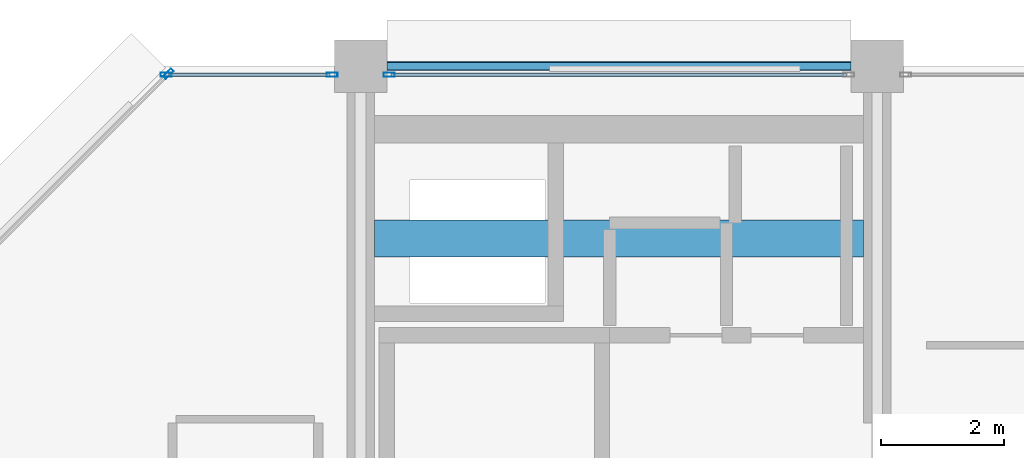
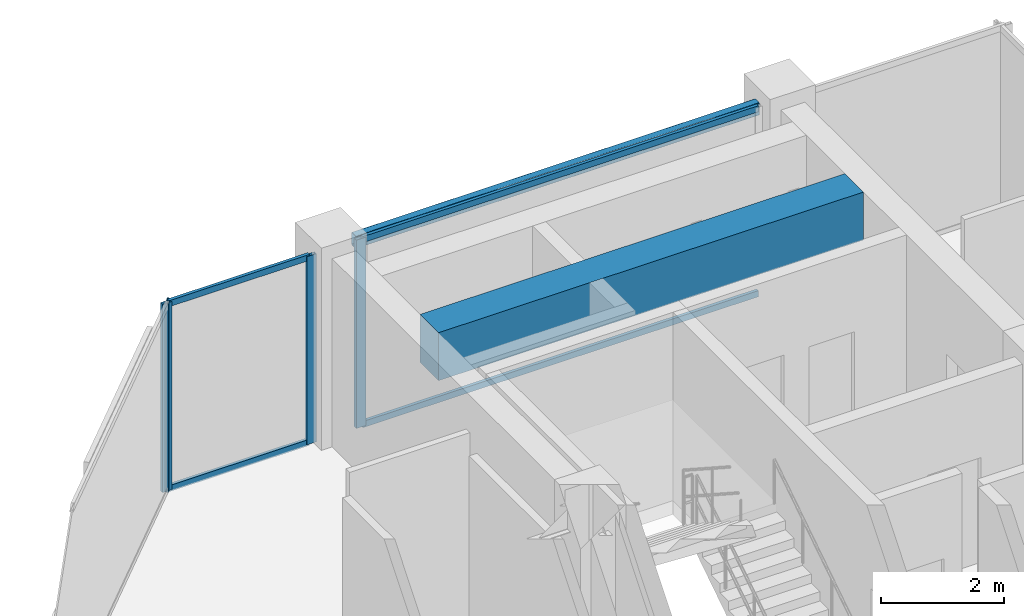
# One storey, part 18 of 27: 8 members, 2 beams, 3 elements without a shape of their own.
"""IFC4 building model written with IfcOpenShell, lengths in metres."""

from ifc_helpers import new_model, si_unit, direction, frame, origin, origin_2d, place, context, subcontext, project, spatial, rectangle, hollow_rectangle, extrude, material, layer, layer_set, material_profile, profile_set, type_object, element, aggregate, save


model = new_model("IFC4")

# Units and contexts
model_context = context("Model", 3, precision=1e-05, world=origin(), true_north=direction((0.0, 1.0)))
body_context = subcontext(model_context, "Body", "Model", "MODEL_VIEW")
ifc_project = project(units=[si_unit("LENGTHUNIT", "METRE"), si_unit("AREAUNIT", "SQUARE_METRE"), si_unit("VOLUMEUNIT", "CUBIC_METRE"), si_unit("PLANEANGLEUNIT", "RADIAN"), si_unit("MASSUNIT", "GRAM", prefix="KILO")], contexts=[model_context])

# Site, building, storey
site_placement = place(None, origin())
site = spatial("IfcSite", under=ifc_project, at=site_placement, CompositionType="ELEMENT")
building_placement = place(site_placement, origin())
building = spatial("IfcBuilding", under=site, at=building_placement, Name="Nerrivon Quay Data Exchange", CompositionType="ELEMENT")
storey_placement = place(building_placement, frame((0.0, 0.0, 266.199951171875)))
storey = spatial("IfcBuildingStorey", under=building, at=storey_placement, Name="L63", CompositionType="ELEMENT", Elevation=266.199951171875)

# Beams
ifc_material_1 = material(Name="Concrete N50 (50 MPa)", Category="concrete")
ifc_material_profile_1 = material_profile(ifc_material_1, rectangle(XDim=0.60009765625, YDim=0.949951171875, at=origin_2d()), Name="RC-CB-600x950")
ifc_profile_set_1 = profile_set([ifc_material_profile_1], Name="Concrete N50 (50 MPa)")
beam_type_1 = type_object("IfcBeamType", Name="BM-CB2-600x950", PredefinedType="LINTEL", material=ifc_profile_set_1)
beam_1_placement = place(storey_placement, frame((8.625, 39.199951171875, 3.25), z_axis=(1.0, 0.0, 0.0), x_axis=(0.0, 1.0, 0.0)))
element("IfcBeam", 1, at=beam_1_placement, inside=storey, type_object=beam_type_1, Name="L63 West Core Coupling Beam", PredefinedType="LINTEL", context=body_context, shape_type="SweptSolid", body=[
    extrude(rectangle(XDim=0.60009765625, YDim=0.949951171875, at=origin_2d()), origin(), (0.0, 0.0, 1.0), 7.949951171875),
])
ifc_material_2 = material(Name="Steel Grade C350L0 (350 MPa)", Category="steel")
ifc_material_profile_2 = material_profile(ifc_material_2, hollow_rectangle(XDim=0.14990234375, YDim=0.25, WallThickness=0.009033203125, InnerFilletRadius=0.013427734375, OuterFilletRadius=0.0224609375, at=origin_2d()), Name="250x150x9.0RHS")
ifc_profile_set_2 = profile_set([ifc_material_profile_2], Name="Steel Grade C350L0 (350 MPa)")
beam_type_2 = type_object("IfcBeamType", Name="BM-SP4-250x150RHS", PredefinedType="SPANDREL", material=ifc_profile_set_2)
beam_2_placement = place(storey_placement, frame((8.824951171875, 42.0, 3.60009765625), z_axis=(1.0, 0.0, 0.0), x_axis=(0.0, 1.0, 0.0)))
element("IfcBeam", 2, at=beam_2_placement, inside=storey, type_object=beam_type_2, Name="L63 EW Girder Y=42.0 (8.4..16.8)", PredefinedType="SPANDREL", context=body_context, shape_type="SweptSolid", body=[
    extrude(hollow_rectangle(XDim=0.14990234375, YDim=0.25, WallThickness=0.009033203125, InnerFilletRadius=0.013427734375, OuterFilletRadius=0.0224609375, at=origin_2d()), origin(), (0.0, 0.0, 1.0), 7.550048828125),
])

# Curtain wall, member
ifc_material_3 = material(Name="Anodised aluminium 6063-T6", Category="aluminium")
ifc_layer = layer(ifc_material_3, 0.195068359375)
ifc_layer_set = layer_set([ifc_layer], Name="Anodised aluminium 6063-T6")
curtain_wall_type = type_object("IfcCurtainWallType", Name="CW-SYS-06", PredefinedType="NOTDEFINED", material=ifc_layer_set)
curtain_wall_1_placement = place(storey_placement, origin())
curtain_wall_1 = element("IfcCurtainWall", 3, at=curtain_wall_1_placement, inside=storey, type_object=curtain_wall_type, Name="L63 Unitised Curtain Wall 16", PredefinedType="NOTDEFINED")
ifc_material_profile_3 = material_profile(ifc_material_3, hollow_rectangle(XDim=0.06494140625, YDim=0.179931640625, WallThickness=0.00341796875, at=origin_2d()), Name="ALU-MULL-180x65")
ifc_profile_set_3 = profile_set([ifc_material_profile_3], Name="Anodised aluminium 6063-T6")
member_type_1 = type_object("IfcMemberType", Name="CWM-180x65", PredefinedType="MULLION", material=ifc_profile_set_3)
member_1_placement = place(storey_placement, frame((5.2724609375, 41.87451171875, 0.0), z_axis=(0.0, 0.0, 1.0), x_axis=(-0.707106781187, 0.707106781187, 0.0)))
member_1 = element("IfcMember", 4, at=member_1_placement, type_object=member_type_1, Name="CW06 mullion 2", PredefinedType="MULLION", context=body_context, shape_type="SweptSolid", body=[
    extrude(hollow_rectangle(XDim=0.06494140625, YDim=0.179931640625, WallThickness=0.00341796875, at=origin_2d()), origin(), (0.0, 0.0, 1.0), 3.72509765625),
])
aggregate(curtain_wall_1, [member_1])

# Curtain wall, members
curtain_wall_2_placement = place(storey_placement, origin())
curtain_wall_2 = element("IfcCurtainWall", 5, at=curtain_wall_2_placement, inside=storey, type_object=curtain_wall_type, Name="L63 Unitised Curtain Wall 17", PredefinedType="NOTDEFINED")
member_2_placement = place(storey_placement, frame((5.237548828125, 41.860107421875, 0.0), z_axis=(0.0, 0.0, 1.0), x_axis=(0.0, 1.0, 0.0)))
member_2 = element("IfcMember", 6, at=member_2_placement, type_object=member_type_1, Name="CW06 mullion 1", PredefinedType="MULLION", context=body_context, shape_type="SweptSolid", body=[
    extrude(hollow_rectangle(XDim=0.06494140625, YDim=0.179931640625, WallThickness=0.00341796875, at=origin_2d()), origin(), (0.0, 0.0, 1.0), 3.72509765625),
])
member_3_placement = place(storey_placement, frame((7.9375, 41.860107421875, 0.0), z_axis=(0.0, 0.0, 1.0), x_axis=(0.0, 1.0, 0.0)))
member_3 = element("IfcMember", 7, at=member_3_placement, type_object=member_type_1, Name="CW06 mullion 2", PredefinedType="MULLION", context=body_context, shape_type="SweptSolid", body=[
    extrude(hollow_rectangle(XDim=0.06494140625, YDim=0.179931640625, WallThickness=0.00341796875, at=origin_2d()), origin(), (0.0, 0.0, 1.0), 3.72509765625),
])

# Curtain wall, member
curtain_wall_3_placement = place(storey_placement, origin())
curtain_wall_3 = element("IfcCurtainWall", 8, at=curtain_wall_3_placement, inside=storey, type_object=curtain_wall_type, Name="L63 Unitised Curtain Wall 18", PredefinedType="NOTDEFINED")
member_4_placement = place(storey_placement, frame((8.862548828125, 41.860107421875, 0.0), z_axis=(0.0, 0.0, 1.0), x_axis=(0.0, 1.0, 0.0)))
member_4 = element("IfcMember", 9, at=member_4_placement, type_object=member_type_1, Name="CW06 mullion 1", PredefinedType="MULLION", context=body_context, shape_type="SweptSolid", body=[
    extrude(hollow_rectangle(XDim=0.06494140625, YDim=0.179931640625, WallThickness=0.00341796875, at=origin_2d()), origin(), (0.0, 0.0, 1.0), 3.72509765625),
])

# Member
ifc_material_profile_4 = material_profile(ifc_material_3, hollow_rectangle(XDim=0.06005859375, YDim=0.1201171875, WallThickness=0.003173828125, at=origin_2d()), Name="ALU-TRAN-120x60")
ifc_profile_set_4 = profile_set([ifc_material_profile_4], Name="Anodised aluminium 6063-T6")
member_type_2 = type_object("IfcMemberType", Name="CWT-120x60", PredefinedType="USERDEFINED", material=ifc_profile_set_4)
member_5_placement = place(storey_placement, frame((5.27490234375, 41.860107421875, 0.032470703125), z_axis=(1.0, 0.0, 0.0), x_axis=(0.0, 1.0, 0.0)))
member_5 = element("IfcMember", 10, at=member_5_placement, type_object=member_type_2, Name="CW06 transom 1.1", ObjectType="TRANSOM", PredefinedType="USERDEFINED", context=body_context, shape_type="SweptSolid", body=[
    extrude(hollow_rectangle(XDim=0.06005859375, YDim=0.1201171875, WallThickness=0.003173828125, at=origin_2d()), origin(), (0.0, 0.0, 1.0), 2.625),
])

member_6_placement = place(storey_placement, frame((5.27490234375, 41.860107421875, 3.692626953125), z_axis=(1.0, 0.0, 0.0), x_axis=(0.0, 1.0, 0.0)))
member_6 = element("IfcMember", 11, at=member_6_placement, type_object=member_type_2, Name="CW06 transom 1.2", ObjectType="TRANSOM", PredefinedType="USERDEFINED", context=body_context, shape_type="SweptSolid", body=[
    extrude(hollow_rectangle(XDim=0.06005859375, YDim=0.1201171875, WallThickness=0.003173828125, at=origin_2d()), origin(), (0.0, 0.0, 1.0), 2.625),
])

aggregate(curtain_wall_2, [member_2, member_3, member_5, member_6])

member_7_placement = place(storey_placement, frame((8.89990234375, 41.860107421875, 0.032470703125), z_axis=(1.0, 0.0, 0.0), x_axis=(0.0, 1.0, 0.0)))
member_7 = element("IfcMember", 12, at=member_7_placement, type_object=member_type_2, Name="CW06 transom 1.1", ObjectType="TRANSOM", PredefinedType="USERDEFINED", context=body_context, shape_type="SweptSolid", body=[
    extrude(hollow_rectangle(XDim=0.06005859375, YDim=0.1201171875, WallThickness=0.003173828125, at=origin_2d()), origin(), (0.0, 0.0, 1.0), 7.400146484375),
])

member_8_placement = place(storey_placement, frame((8.89990234375, 41.860107421875, 3.692626953125), z_axis=(1.0, 0.0, 0.0), x_axis=(0.0, 1.0, 0.0)))
member_8 = element("IfcMember", 13, at=member_8_placement, type_object=member_type_2, Name="CW06 transom 1.2", ObjectType="TRANSOM", PredefinedType="USERDEFINED", context=body_context, shape_type="SweptSolid", body=[
    extrude(hollow_rectangle(XDim=0.06005859375, YDim=0.1201171875, WallThickness=0.003173828125, at=origin_2d()), origin(), (0.0, 0.0, 1.0), 7.400146484375),
])

aggregate(curtain_wall_3, [member_4, member_7, member_8])

save(model, "model.ifc")
